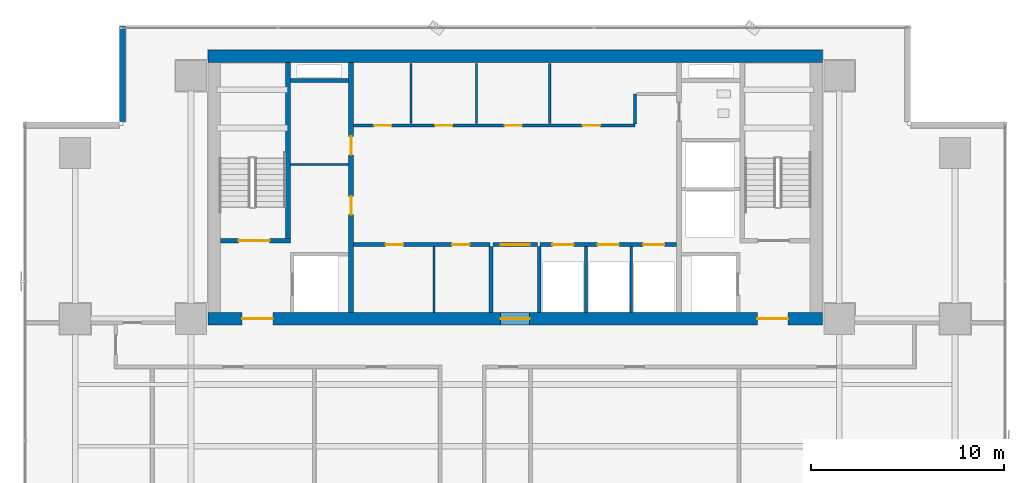
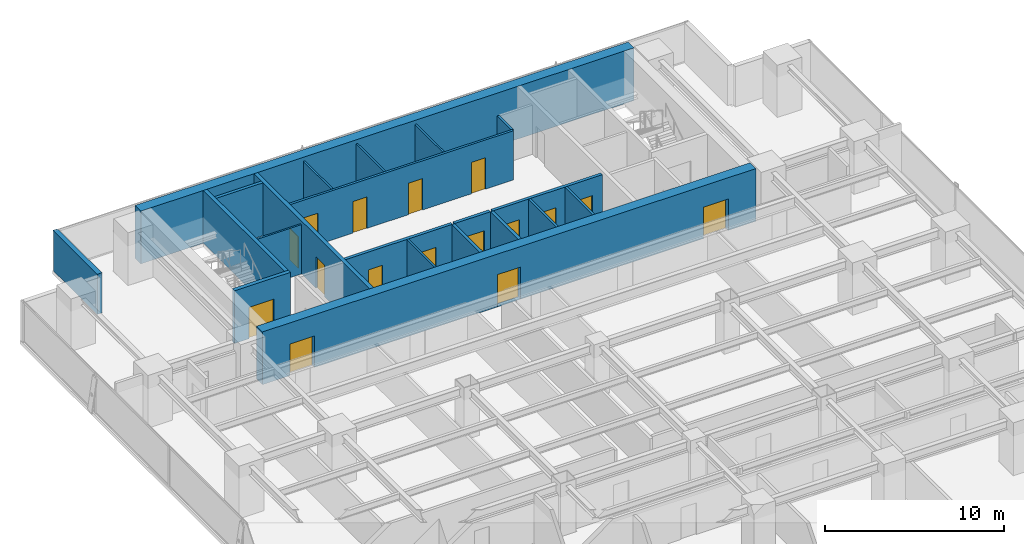
# One storey, part 29 of 36: 21 walls, 16 doors, 16 openings.
"""IFC4 building model written with IfcOpenShell, lengths in metres."""

from ifc_helpers import new_model, si_unit, direction, frame, frame_2d, origin, place, context, subcontext, project, spatial, rectangle, extrude, source, transform, mapped, material, layer, layer_set, type_object, element, fill, save


model = new_model("IFC4")

# Units and contexts
model_context = context("Model", 3, precision=1e-05, world=origin(), true_north=direction((0.0, 1.0)))
body_context = subcontext(model_context, "Body", "Model", "MODEL_VIEW")
ifc_project = project(units=[si_unit("LENGTHUNIT", "METRE"), si_unit("AREAUNIT", "SQUARE_METRE"), si_unit("VOLUMEUNIT", "CUBIC_METRE"), si_unit("PLANEANGLEUNIT", "RADIAN"), si_unit("MASSUNIT", "GRAM", prefix="KILO")], contexts=[model_context])

# Site, building, storey
site_placement = place(None, origin())
site = spatial("IfcSite", under=ifc_project, at=site_placement, CompositionType="ELEMENT")
building_placement = place(site_placement, origin())
building = spatial("IfcBuilding", under=site, at=building_placement, Name="Sumidabori Civic Tower", CompositionType="ELEMENT")
storey_placement = place(building_placement, frame((0.0, 0.0, 113.60009765625)))
storey = spatial("IfcBuildingStorey", under=building, at=storey_placement, Name="L29", CompositionType="ELEMENT", Elevation=113.60009765625)

# Walls
ifc_material_1 = material(Name="Concrete C50/60", Category="concrete")
ifc_layer_1 = layer(ifc_material_1, 0.199951171875, Name="Concrete C50/60")
ifc_layer_set_1 = layer_set([ifc_layer_1], Name="Concrete C50/60")
wall_type_1 = type_object("IfcWallType", Name="WL-SHAFT-200", PredefinedType="SHEAR", material=ifc_layer_set_1)
shared_shape_1 = source(origin(), body_context, "Body", "SweptSolid", [
    extrude(rectangle(XDim=3.02001953125, YDim=0.199951171875, at=frame_2d((1.510009765625, 0.0))), origin(), (0.0, 0.0, 1.0), 3.599853515625),
])
wall_1_placement = place(storey_placement, frame((-11.64501953125, 22.550048828125, 0.0), z_axis=(0.0, 0.0, 1.0), x_axis=(1.0, 0.0, 0.0)))
element("IfcWall", 1, at=wall_1_placement, inside=storey, type_object=wall_type_1, Name="Core Shear Wall L29 RIS1-S", PredefinedType="SHEAR", context=body_context, shape_type="MappedRepresentation", body=[
    mapped(shared_shape_1, transform((0.0, 0.0, 0.0), x_axis=(1.0, 0.0, 0.0), y_axis=(0.0, 1.0, 0.0), z_axis=(0.0, 0.0, 1.0), scale=1.0)),
])
ifc_material_2 = material(Name="Concrete C60/75", Category="concrete")
ifc_layer_2 = layer(ifc_material_2, 0.64990234375, Name="Concrete C60/75")
ifc_layer_set_2 = layer_set([ifc_layer_2], Name="Concrete C60/75")
wall_type_2 = type_object("IfcWallType", Name="WL-CORE-650", PredefinedType="SHEAR", material=ifc_layer_set_2)
shared_shape_2 = source(origin(), body_context, "Body", "SweptSolid", [
    extrude(rectangle(XDim=31.85009765625, YDim=0.64990234375, at=frame_2d((15.925048828125, 0.0))), origin(), (0.0, 0.0, 1.0), 3.599853515625),
])
wall_2_placement = place(storey_placement, frame((-15.925048828125, 23.800048828125, 0.0), z_axis=(0.0, 0.0, 1.0), x_axis=(1.0, 0.0, 0.0)))
element("IfcWall", 2, at=wall_2_placement, inside=storey, type_object=wall_type_2, Name="Core Shear Wall L29 N", PredefinedType="SHEAR", context=body_context, shape_type="MappedRepresentation", body=[
    mapped(shared_shape_2, transform((0.0, 0.0, 0.0), x_axis=(1.0, 0.0, 0.0), y_axis=(0.0, 1.0, 0.0), z_axis=(0.0, 0.0, 1.0), scale=1.0)),
])

# Wall, openings, doors
wall_3_placement = place(storey_placement, frame((-15.925048828125, 10.199951171875, 0.0), z_axis=(0.0, 0.0, 1.0), x_axis=(1.0, 0.0, 0.0)))
wall_3 = element("IfcWall", 3, at=wall_3_placement, inside=storey, type_object=wall_type_2, Name="Core Shear Wall L29 S", PredefinedType="SHEAR", context=body_context, shape_type="MappedRepresentation", body=[
    mapped(shared_shape_2, transform((0.0, 0.0, 0.0), x_axis=(1.0, 0.0, 0.0), y_axis=(0.0, 1.0, 0.0), z_axis=(0.0, 0.0, 1.0), scale=1.0)),
])
opening_1_placement = place(wall_3_placement, frame((1.77490234375, 0.0, 0.0)))
opening_1 = element("IfcOpeningElement", 4, at=opening_1_placement, cuts=wall_3, Name="Opening DR-FD4", PredefinedType="OPENING", context=body_context, shape_type="SweptSolid", body=[
    extrude(rectangle(XDim=1.60009765625, YDim=2.14990234375, at=frame_2d((0.800048828125, 1.074951171875))), frame((0.0, 0.3369140625, 0.0), z_axis=(0.0, -1.0, 0.0), x_axis=(1.0, 0.0, 0.0)), (0.0, 0.0, 1.0), 0.673828125),
])
opening_2_placement = place(wall_3_placement, frame((28.47509765625, 0.0, 0.0)))
opening_2 = element("IfcOpeningElement", 5, at=opening_2_placement, cuts=wall_3, Name="Opening DR-FD4", PredefinedType="OPENING", context=body_context, shape_type="SweptSolid", body=[
    extrude(rectangle(XDim=1.60009765625, YDim=2.14990234375, at=frame_2d((0.800048828125, 1.074951171875))), frame((0.0, 0.3369140625, 0.0), z_axis=(0.0, -1.0, 0.0), x_axis=(1.0, 0.0, 0.0)), (0.0, 0.0, 1.0), 0.673828125),
])
opening_3_placement = place(wall_3_placement, frame((15.175048828125, 0.0, 0.0)))
opening_3 = element("IfcOpeningElement", 6, at=opening_3_placement, cuts=wall_3, Name="Opening DR-FD3", PredefinedType="OPENING", context=body_context, shape_type="SweptSolid", body=[
    extrude(rectangle(XDim=1.5, YDim=2.199951171875, at=frame_2d((0.75, 1.10009765625))), frame((0.0, 0.3369140625, 0.0), z_axis=(0.0, -1.0, 0.0), x_axis=(1.0, 0.0, 0.0)), (0.0, 0.0, 1.0), 0.673828125),
])
ifc_material_3 = material(Name="Steel SN490", Category="steel")
door_type_1 = type_object("IfcDoorType", Name="DR-FD4", OperationType="DOUBLE_DOOR_SINGLE_SWING", PredefinedType="DOOR", material=ifc_material_3)
shared_shape_3 = source(origin(), body_context, "Body", "SweptSolid", [
    extrude(rectangle(XDim=1.60009765625, YDim=2.14990234375, at=frame_2d((0.800048828125, 1.074951171875))), frame((0.0, 0.02490234375, 0.0), z_axis=(0.0, -1.0, 0.0), x_axis=(1.0, 0.0, 0.0)), (0.0, 0.0, 1.0), 0.050048828125),
])
door_1_placement = place(opening_1_placement, origin())
door_1 = element("IfcDoor", 7, at=door_1_placement, inside=storey, type_object=door_type_1, Name="Door DR:L29:ELOB-W", OperationType="DOUBLE_DOOR_SINGLE_SWING", OverallHeight=2.14990234375, OverallWidth=1.60009765625, PredefinedType="DOOR", context=body_context, shape_type="MappedRepresentation", body=[
    mapped(shared_shape_3, transform((0.0, 0.0, 0.0), x_axis=(1.0, 0.0, 0.0), y_axis=(0.0, 1.0, 0.0), z_axis=(0.0, 0.0, 1.0), scale=1.0)),
])
fill(opening_1, door_1)
door_2_placement = place(opening_2_placement, origin())
door_2 = element("IfcDoor", 8, at=door_2_placement, inside=storey, type_object=door_type_1, Name="Door DR:L29:ELOB-E", OperationType="DOUBLE_DOOR_SINGLE_SWING", OverallHeight=2.14990234375, OverallWidth=1.60009765625, PredefinedType="DOOR", context=body_context, shape_type="MappedRepresentation", body=[
    mapped(shared_shape_3, transform((0.0, 0.0, 0.0), x_axis=(1.0, 0.0, 0.0), y_axis=(0.0, 1.0, 0.0), z_axis=(0.0, 0.0, 1.0), scale=1.0)),
])
fill(opening_2, door_2)
door_type_2 = type_object("IfcDoorType", Name="DR-FD-DBL", OperationType="DOUBLE_DOOR_SINGLE_SWING", PredefinedType="DOOR", material=ifc_material_3)
shared_shape_4 = source(origin(), body_context, "Body", "SweptSolid", [
    extrude(rectangle(XDim=1.5, YDim=2.199951171875, at=frame_2d((0.75, 1.10009765625))), frame((0.0, 0.02490234375, 0.0), z_axis=(0.0, -1.0, 0.0), x_axis=(1.0, 0.0, 0.0)), (0.0, 0.0, 1.0), 0.050048828125),
])
door_3_placement = place(opening_3_placement, origin())
door_3 = element("IfcDoor", 9, at=door_3_placement, inside=storey, type_object=door_type_2, Name="Door DR:L29:THROAT-OUT", OperationType="DOUBLE_DOOR_SINGLE_SWING", OverallHeight=2.199951171875, OverallWidth=1.5, PredefinedType="DOOR", context=body_context, shape_type="MappedRepresentation", body=[
    mapped(shared_shape_4, transform((0.0, 0.0, 0.0), x_axis=(1.0, 0.0, 0.0), y_axis=(0.0, 1.0, 0.0), z_axis=(0.0, 0.0, 1.0), scale=1.0)),
])
fill(opening_3, door_3)

ifc_layer_3 = layer(ifc_material_1, 0.25, Name="Concrete C50/60")
ifc_layer_set_3 = layer_set([ifc_layer_3], Name="Concrete C50/60")
wall_type_3 = type_object("IfcWallType", Name="WL-SHAFT-250", PredefinedType="SHEAR", material=ifc_layer_set_3)
shared_shape_5 = source(origin(), body_context, "Body", "SweptSolid", [
    extrude(rectangle(XDim=12.9501953125, YDim=0.25, at=frame_2d((6.47509765625, 0.0))), origin(), (0.0, 0.0, 1.0), 3.599853515625),
])
wall_4_placement = place(storey_placement, frame((-8.5, 10.52490234375, 0.0), z_axis=(0.0, 0.0, 1.0), x_axis=(0.0, 1.0, 0.0)))
wall_4 = element("IfcWall", 10, at=wall_4_placement, inside=storey, type_object=wall_type_3, Name="Core Shear Wall L29 WEB-W", PredefinedType="SHEAR", context=body_context, shape_type="MappedRepresentation", body=[
    mapped(shared_shape_5, transform((0.0, 0.0, 0.0), x_axis=(1.0, 0.0, 0.0), y_axis=(0.0, 1.0, 0.0), z_axis=(0.0, 0.0, 1.0), scale=1.0)),
])
opening_4_placement = place(wall_4_placement, frame((5.074951171875, 0.0, 0.0)))
opening_4 = element("IfcOpeningElement", 11, at=opening_4_placement, cuts=wall_4, Name="Opening DR-FD2", PredefinedType="OPENING", context=body_context, shape_type="SweptSolid", body=[
    extrude(rectangle(XDim=0.949951171875, YDim=2.14990234375, at=frame_2d((0.47509765625, 1.074951171875))), frame((0.0, 0.136962890625, 0.0), z_axis=(0.0, -1.0, 0.0), x_axis=(1.0, 0.0, 0.0)), (0.0, 0.0, 1.0), 0.27392578125),
])
opening_5_placement = place(wall_4_placement, frame((8.175048828125, 0.0, 0.0)))
opening_5 = element("IfcOpeningElement", 12, at=opening_5_placement, cuts=wall_4, Name="Opening DR-FD2", PredefinedType="OPENING", context=body_context, shape_type="SweptSolid", body=[
    extrude(rectangle(XDim=0.949951171875, YDim=2.14990234375, at=frame_2d((0.47509765625, 1.074951171875))), frame((0.0, 0.136962890625, 0.0), z_axis=(0.0, -1.0, 0.0), x_axis=(1.0, 0.0, 0.0)), (0.0, 0.0, 1.0), 0.27392578125),
])
door_type_3 = type_object("IfcDoorType", Name="DR-FD2", OperationType="NOTDEFINED", PredefinedType="DOOR", material=ifc_material_3)
shared_shape_6 = source(origin(), body_context, "Body", "SweptSolid", [
    extrude(rectangle(XDim=0.949951171875, YDim=2.14990234375, at=frame_2d((0.47509765625, 1.074951171875))), frame((0.0, 0.02490234375, 0.0), z_axis=(0.0, -1.0, 0.0), x_axis=(1.0, 0.0, 0.0)), (0.0, 0.0, 1.0), 0.050048828125),
])
door_4_placement = place(opening_4_placement, origin())
door_4 = element("IfcDoor", 13, at=door_4_placement, inside=storey, type_object=door_type_3, Name="Door DR:L29:CW-S1", OperationType="SINGLE_SWING_LEFT", OverallHeight=2.14990234375, OverallWidth=0.949951171875, PredefinedType="DOOR", context=body_context, shape_type="MappedRepresentation", body=[
    mapped(shared_shape_6, transform((0.0, 0.0, 0.0), x_axis=(1.0, 0.0, 0.0), y_axis=(0.0, 1.0, 0.0), z_axis=(0.0, 0.0, 1.0), scale=1.0)),
])
fill(opening_4, door_4)
door_5_placement = place(opening_5_placement, origin())
door_5 = element("IfcDoor", 14, at=door_5_placement, inside=storey, type_object=door_type_3, Name="Door DR:L29:CW-S2", OperationType="SINGLE_SWING_RIGHT", OverallHeight=2.14990234375, OverallWidth=0.949951171875, PredefinedType="DOOR", context=body_context, shape_type="MappedRepresentation", body=[
    mapped(shared_shape_6, transform((0.0, 0.0, 0.0), x_axis=(1.0, 0.0, 0.0), y_axis=(0.0, 1.0, 0.0), z_axis=(0.0, 0.0, 1.0), scale=1.0)),
])
fill(opening_5, door_5)

# Wall, opening, door
shared_shape_7 = source(origin(), body_context, "Body", "SweptSolid", [
    extrude(rectangle(XDim=3.6298828125, YDim=0.25, at=frame_2d((1.81494140625, 0.0))), origin(), (0.0, 0.0, 1.0), 3.599853515625),
])
wall_5_placement = place(storey_placement, frame((-15.27490234375, 14.25, 0.0), z_axis=(0.0, 0.0, 1.0), x_axis=(1.0, 0.0, 0.0)))
wall_5 = element("IfcWall", 15, at=wall_5_placement, inside=storey, type_object=wall_type_3, Name="Core Shear Wall L29 ST1-S", PredefinedType="SHEAR", context=body_context, shape_type="MappedRepresentation", body=[
    mapped(shared_shape_7, transform((0.0, 0.0, 0.0), x_axis=(1.0, 0.0, 0.0), y_axis=(0.0, 1.0, 0.0), z_axis=(0.0, 0.0, 1.0), scale=1.0)),
])
opening_6_placement = place(wall_5_placement, frame((0.949951171875, 0.0, 0.0)))
opening_6 = element("IfcOpeningElement", 16, at=opening_6_placement, cuts=wall_5, Name="Opening DR-FD4", PredefinedType="OPENING", context=body_context, shape_type="SweptSolid", body=[
    extrude(rectangle(XDim=1.60009765625, YDim=2.14990234375, at=frame_2d((0.800048828125, 1.074951171875))), frame((0.0, 0.136962890625, 0.0), z_axis=(0.0, -1.0, 0.0), x_axis=(1.0, 0.0, 0.0)), (0.0, 0.0, 1.0), 0.27392578125),
])
door_6_placement = place(opening_6_placement, origin())
door_6 = element("IfcDoor", 17, at=door_6_placement, inside=storey, type_object=door_type_1, Name="Door DR:L29:ST1", OperationType="DOUBLE_DOOR_SINGLE_SWING", OverallHeight=2.14990234375, OverallWidth=1.60009765625, PredefinedType="DOOR", context=body_context, shape_type="MappedRepresentation", body=[
    mapped(shared_shape_3, transform((0.0, 0.0, 0.0), x_axis=(1.0, 0.0, 0.0), y_axis=(0.0, 1.0, 0.0), z_axis=(0.0, 0.0, 1.0), scale=1.0)),
])
fill(opening_6, door_6)

# Walls
shared_shape_8 = source(origin(), body_context, "Body", "SweptSolid", [
    extrude(rectangle(XDim=9.10009765625, YDim=0.25, at=frame_2d((4.550048828125, 0.0))), origin(), (0.0, 0.0, 1.0), 3.599853515625),
])
wall_6_placement = place(storey_placement, frame((-11.77001953125, 14.375, 0.0), z_axis=(0.0, 0.0, 1.0), x_axis=(0.0, 1.0, 0.0)))
element("IfcWall", 18, at=wall_6_placement, inside=storey, type_object=wall_type_3, Name="Core Shear Wall L29 ST1-E", PredefinedType="SHEAR", context=body_context, shape_type="MappedRepresentation", body=[
    mapped(shared_shape_8, transform((0.0, 0.0, 0.0), x_axis=(1.0, 0.0, 0.0), y_axis=(0.0, 1.0, 0.0), z_axis=(0.0, 0.0, 1.0), scale=1.0)),
])
ifc_material_4 = material(Name="Precast concrete C40/50", Category="concrete")
ifc_layer_4 = layer(ifc_material_4, 0.300048828125, Name="Precast concrete C40/50")
ifc_layer_set_4 = layer_set([ifc_layer_4], Name="Precast concrete C40/50")
wall_type_4 = type_object("IfcWallType", Name="WL-EXT-POD300", PredefinedType="STANDARD", material=ifc_layer_set_4)
shared_shape_9 = source(origin(), body_context, "Body", "SweptSolid", [
    extrude(rectangle(XDim=4.9599609375, YDim=0.300048828125, at=frame_2d((2.47998046875, 0.0))), origin(), (0.0, 0.0, 1.0), 2.739990234375),
])
wall_7_placement = place(storey_placement, frame((-20.35009765625, 25.3798828125, 0.0), z_axis=(0.0, 0.0, 1.0), x_axis=(0.0, -1.0, 0.0)))
element("IfcWall", 19, at=wall_7_placement, inside=storey, type_object=wall_type_4, Name="Notched Corner Spandrel Band L29-08", PredefinedType="STANDARD", context=body_context, shape_type="MappedRepresentation", body=[
    mapped(shared_shape_9, transform((0.0, 0.0, 0.0), x_axis=(1.0, 0.0, 0.0), y_axis=(0.0, 1.0, 0.0), z_axis=(0.0, 0.0, 1.0), scale=1.0)),
])

# Wall, openings, doors
ifc_material_5 = material(Name="Gypsum Plasterboard Fire Partition")
ifc_layer_5 = layer(ifc_material_5, 0.199951171875, Name="Gypsum Plasterboard Fire Partition")
ifc_layer_set_5 = layer_set([ifc_layer_5], Name="Gypsum Plasterboard Fire Partition")
wall_type_5 = type_object("IfcWallType", Name="WL-PART-FIRE", PredefinedType="PARTITIONING", material=ifc_layer_set_5)
shared_shape_10 = source(origin(), body_context, "Body", "SweptSolid", [
    extrude(rectangle(XDim=7.070068359375, YDim=0.199951171875, at=frame_2d((3.53515625, 0.0))), origin(), (0.0, 0.0, 1.0), 3.35986328125),
])
wall_8_placement = place(storey_placement, frame((-8.3701171875, 14.050048828125, 0.0), z_axis=(0.0, 0.0, 1.0), x_axis=(1.0, 0.0, 0.0)))
wall_8 = element("IfcWall", 20, at=wall_8_placement, inside=storey, type_object=wall_type_5, Name="Interior Partition WL:L29:CBAND-SW", PredefinedType="PARTITIONING", context=body_context, shape_type="MappedRepresentation", body=[
    mapped(shared_shape_10, transform((0.0, 0.0, 0.0), x_axis=(1.0, 0.0, 0.0), y_axis=(0.0, 1.0, 0.0), z_axis=(0.0, 0.0, 1.0), scale=1.0)),
])
opening_7_placement = place(wall_8_placement, frame((1.659912109375, 0.0, 0.0)))
opening_7 = element("IfcOpeningElement", 21, at=opening_7_placement, cuts=wall_8, Name="Opening DR-1", PredefinedType="OPENING", context=body_context, shape_type="SweptSolid", body=[
    extrude(rectangle(XDim=0.89990234375, YDim=2.14990234375, at=frame_2d((0.449951171875, 1.074951171875))), frame((0.0, 0.11181640625, 0.0), z_axis=(0.0, -1.0, 0.0), x_axis=(1.0, 0.0, 0.0)), (0.0, 0.0, 1.0), 0.223876953125),
])
opening_8_placement = place(wall_8_placement, frame((5.110107421875, 0.0, 0.0)))
opening_8 = element("IfcOpeningElement", 22, at=opening_8_placement, cuts=wall_8, Name="Opening DR-1", PredefinedType="OPENING", context=body_context, shape_type="SweptSolid", body=[
    extrude(rectangle(XDim=0.89990234375, YDim=2.14990234375, at=frame_2d((0.449951171875, 1.074951171875))), frame((0.0, 0.11181640625, 0.0), z_axis=(0.0, -1.0, 0.0), x_axis=(1.0, 0.0, 0.0)), (0.0, 0.0, 1.0), 0.223876953125),
])
ifc_material_6 = material(Name="Japanese Hinoki Timber", Category="wood")
door_type_4 = type_object("IfcDoorType", Name="DR-INT-900", OperationType="NOTDEFINED", PredefinedType="DOOR", material=ifc_material_6)
shared_shape_11 = source(origin(), body_context, "Body", "SweptSolid", [
    extrude(rectangle(XDim=0.89990234375, YDim=2.14990234375, at=frame_2d((0.449951171875, 1.074951171875))), frame((0.0, 0.02490234375, 0.0), z_axis=(0.0, -1.0, 0.0), x_axis=(1.0, 0.0, 0.0)), (0.0, 0.0, 1.0), 0.050048828125),
])
door_7_placement = place(opening_7_placement, origin())
door_7 = element("IfcDoor", 23, at=door_7_placement, inside=storey, type_object=door_type_4, Name="Door DR:L29:REC-B1A", OperationType="SINGLE_SWING_LEFT", OverallHeight=2.14990234375, OverallWidth=0.89990234375, PredefinedType="DOOR", context=body_context, shape_type="MappedRepresentation", body=[
    mapped(shared_shape_11, transform((0.0, 0.0, 0.0), x_axis=(1.0, 0.0, 0.0), y_axis=(0.0, 1.0, 0.0), z_axis=(0.0, 0.0, 1.0), scale=1.0)),
])
fill(opening_7, door_7)
door_8_placement = place(opening_8_placement, origin())
door_8 = element("IfcDoor", 24, at=door_8_placement, inside=storey, type_object=door_type_4, Name="Door DR:L29:REC-B1B", OperationType="SINGLE_SWING_RIGHT", OverallHeight=2.14990234375, OverallWidth=0.89990234375, PredefinedType="DOOR", context=body_context, shape_type="MappedRepresentation", body=[
    mapped(shared_shape_11, transform((0.0, 0.0, 0.0), x_axis=(1.0, 0.0, 0.0), y_axis=(0.0, 1.0, 0.0), z_axis=(0.0, 0.0, 1.0), scale=1.0)),
])
fill(opening_8, door_8)

wall_9_placement = place(storey_placement, frame((1.300048828125, 14.050048828125, 0.0), z_axis=(0.0, 0.0, 1.0), x_axis=(1.0, 0.0, 0.0)))
wall_9 = element("IfcWall", 25, at=wall_9_placement, inside=storey, type_object=wall_type_5, Name="Interior Partition WL:L29:CBAND-SE", PredefinedType="PARTITIONING", context=body_context, shape_type="MappedRepresentation", body=[
    mapped(shared_shape_10, transform((0.0, 0.0, 0.0), x_axis=(1.0, 0.0, 0.0), y_axis=(0.0, 1.0, 0.0), z_axis=(0.0, 0.0, 1.0), scale=1.0)),
])
opening_9_placement = place(wall_9_placement, frame((0.6298828125, 0.0, 0.0)))
opening_9 = element("IfcOpeningElement", 26, at=opening_9_placement, cuts=wall_9, Name="Opening LD-1", PredefinedType="OPENING", context=body_context, shape_type="SweptSolid", body=[
    extrude(rectangle(XDim=1.10009765625, YDim=2.14990234375, at=frame_2d((0.550048828125, 1.074951171875))), frame((0.0, 0.11181640625, 0.0), z_axis=(0.0, -1.0, 0.0), x_axis=(1.0, 0.0, 0.0)), (0.0, 0.0, 1.0), 0.223876953125),
])
opening_10_placement = place(wall_9_placement, frame((2.97998046875, 0.0, 0.0)))
opening_10 = element("IfcOpeningElement", 27, at=opening_10_placement, cuts=wall_9, Name="Opening LD-1", PredefinedType="OPENING", context=body_context, shape_type="SweptSolid", body=[
    extrude(rectangle(XDim=1.10009765625, YDim=2.14990234375, at=frame_2d((0.550048828125, 1.074951171875))), frame((0.0, 0.11181640625, 0.0), z_axis=(0.0, -1.0, 0.0), x_axis=(1.0, 0.0, 0.0)), (0.0, 0.0, 1.0), 0.223876953125),
])
opening_11_placement = place(wall_9_placement, frame((5.330078125, 0.0, 0.0)))
opening_11 = element("IfcOpeningElement", 28, at=opening_11_placement, cuts=wall_9, Name="Opening LD-1", PredefinedType="OPENING", context=body_context, shape_type="SweptSolid", body=[
    extrude(rectangle(XDim=1.10009765625, YDim=2.14990234375, at=frame_2d((0.550048828125, 1.074951171875))), frame((0.0, 0.11181640625, 0.0), z_axis=(0.0, -1.0, 0.0), x_axis=(1.0, 0.0, 0.0)), (0.0, 0.0, 1.0), 0.223876953125),
])
ifc_material_7 = material(Name="Stainless Steel Hairline Finish", Category="steel")
door_type_5 = type_object("IfcDoorType", Name="DR-LD1", OperationType="DOUBLE_DOOR_SLIDING", PredefinedType="DOOR", material=ifc_material_7)
shared_shape_12 = source(origin(), body_context, "Body", "SweptSolid", [
    extrude(rectangle(XDim=1.10009765625, YDim=2.14990234375, at=frame_2d((0.550048828125, 1.074951171875))), frame((0.0, 0.02490234375, 0.0), z_axis=(0.0, -1.0, 0.0), x_axis=(1.0, 0.0, 0.0)), (0.0, 0.0, 1.0), 0.050048828125),
])
door_9_placement = place(opening_9_placement, origin())
door_9 = element("IfcDoor", 29, at=door_9_placement, inside=storey, type_object=door_type_5, Name="Door DR:L29:LD-PLM1", OperationType="DOUBLE_DOOR_SLIDING", OverallHeight=2.14990234375, OverallWidth=1.10009765625, PredefinedType="DOOR", context=body_context, shape_type="MappedRepresentation", body=[
    mapped(shared_shape_12, transform((0.0, 0.0, 0.0), x_axis=(1.0, 0.0, 0.0), y_axis=(0.0, 1.0, 0.0), z_axis=(0.0, 0.0, 1.0), scale=1.0)),
])
fill(opening_9, door_9)
door_10_placement = place(opening_10_placement, origin())
door_10 = element("IfcDoor", 30, at=door_10_placement, inside=storey, type_object=door_type_5, Name="Door DR:L29:LD-PLM2", OperationType="DOUBLE_DOOR_SLIDING", OverallHeight=2.14990234375, OverallWidth=1.10009765625, PredefinedType="DOOR", context=body_context, shape_type="MappedRepresentation", body=[
    mapped(shared_shape_12, transform((0.0, 0.0, 0.0), x_axis=(1.0, 0.0, 0.0), y_axis=(0.0, 1.0, 0.0), z_axis=(0.0, 0.0, 1.0), scale=1.0)),
])
fill(opening_10, door_10)
door_11_placement = place(opening_11_placement, origin())
door_11 = element("IfcDoor", 31, at=door_11_placement, inside=storey, type_object=door_type_5, Name="Door DR:L29:LD-PLM3", OperationType="DOUBLE_DOOR_SLIDING", OverallHeight=2.14990234375, OverallWidth=1.10009765625, PredefinedType="DOOR", context=body_context, shape_type="MappedRepresentation", body=[
    mapped(shared_shape_12, transform((0.0, 0.0, 0.0), x_axis=(1.0, 0.0, 0.0), y_axis=(0.0, 1.0, 0.0), z_axis=(0.0, 0.0, 1.0), scale=1.0)),
])
fill(opening_11, door_11)

# Wall, opening, door
shared_shape_13 = source(origin(), body_context, "Body", "SweptSolid", [
    extrude(rectangle(XDim=2.2998046875, YDim=0.199951171875, at=frame_2d((1.14990234375, 0.0))), origin(), (0.0, 0.0, 1.0), 3.35986328125),
])
wall_10_placement = place(storey_placement, frame((-1.14990234375, 14.050048828125, 0.0), z_axis=(0.0, 0.0, 1.0), x_axis=(1.0, 0.0, 0.0)))
wall_10 = element("IfcWall", 32, at=wall_10_placement, inside=storey, type_object=wall_type_5, Name="Interior Partition WL:L29:THROAT-N", PredefinedType="PARTITIONING", context=body_context, shape_type="MappedRepresentation", body=[
    mapped(shared_shape_13, transform((0.0, 0.0, 0.0), x_axis=(1.0, 0.0, 0.0), y_axis=(0.0, 1.0, 0.0), z_axis=(0.0, 0.0, 1.0), scale=1.0)),
])
opening_12_placement = place(wall_10_placement, frame((0.39990234375, 0.0, 0.0)))
opening_12 = element("IfcOpeningElement", 33, at=opening_12_placement, cuts=wall_10, Name="Opening DR-FD3", PredefinedType="OPENING", context=body_context, shape_type="SweptSolid", body=[
    extrude(rectangle(XDim=1.5, YDim=2.199951171875, at=frame_2d((0.75, 1.10009765625))), frame((0.0, 0.11181640625, 0.0), z_axis=(0.0, -1.0, 0.0), x_axis=(1.0, 0.0, 0.0)), (0.0, 0.0, 1.0), 0.223876953125),
])
door_12_placement = place(opening_12_placement, origin())
door_12 = element("IfcDoor", 34, at=door_12_placement, inside=storey, type_object=door_type_2, Name="Door DR:L29:THROAT-IN", OperationType="DOUBLE_DOOR_SINGLE_SWING", OverallHeight=2.199951171875, OverallWidth=1.5, PredefinedType="DOOR", context=body_context, shape_type="MappedRepresentation", body=[
    mapped(shared_shape_4, transform((0.0, 0.0, 0.0), x_axis=(1.0, 0.0, 0.0), y_axis=(0.0, 1.0, 0.0), z_axis=(0.0, 0.0, 1.0), scale=1.0)),
])
fill(opening_12, door_12)

# Wall, openings, doors
ifc_material_8 = material(Name="Gypsum Plasterboard Acoustic Partition")
ifc_layer_6 = layer(ifc_material_8, 0.14990234375, Name="Gypsum Plasterboard Acoustic Partition")
ifc_layer_set_6 = layer_set([ifc_layer_6], Name="Gypsum Plasterboard Acoustic Partition")
wall_type_6 = type_object("IfcWallType", Name="WL-PART-150", PredefinedType="PARTITIONING", material=ifc_layer_set_6)
shared_shape_14 = source(origin(), body_context, "Body", "SweptSolid", [
    extrude(rectangle(XDim=14.590087890625, YDim=0.14990234375, at=frame_2d((7.294921875, 0.0))), origin(), (0.0, 0.0, 1.0), 3.35986328125),
])
wall_11_placement = place(storey_placement, frame((-8.3701171875, 20.219970703125, 0.0), z_axis=(0.0, 0.0, 1.0), x_axis=(1.0, 0.0, 0.0)))
wall_11 = element("IfcWall", 35, at=wall_11_placement, inside=storey, type_object=wall_type_6, Name="Interior Partition WL:L29:CBAND-M", PredefinedType="PARTITIONING", context=body_context, shape_type="MappedRepresentation", body=[
    mapped(shared_shape_14, transform((0.0, 0.0, 0.0), x_axis=(1.0, 0.0, 0.0), y_axis=(0.0, 1.0, 0.0), z_axis=(0.0, 0.0, 1.0), scale=1.0)),
])
opening_13_placement = place(wall_11_placement, frame((1.06005859375, 0.0, 0.0)))
opening_13 = element("IfcOpeningElement", 36, at=opening_13_placement, cuts=wall_11, Name="Opening DR-1", PredefinedType="OPENING", context=body_context, shape_type="SweptSolid", body=[
    extrude(rectangle(XDim=0.89990234375, YDim=2.14990234375, at=frame_2d((0.449951171875, 1.074951171875))), frame((0.0, 0.0869140625, 0.0), z_axis=(0.0, -1.0, 0.0), x_axis=(1.0, 0.0, 0.0)), (0.0, 0.0, 1.0), 0.173828125),
])
opening_14_placement = place(wall_11_placement, frame((4.219970703125, 0.0, 0.0)))
opening_14 = element("IfcOpeningElement", 37, at=opening_14_placement, cuts=wall_11, Name="Opening DR-1", PredefinedType="OPENING", context=body_context, shape_type="SweptSolid", body=[
    extrude(rectangle(XDim=0.89990234375, YDim=2.14990234375, at=frame_2d((0.449951171875, 1.074951171875))), frame((0.0, 0.0869140625, 0.0), z_axis=(0.0, -1.0, 0.0), x_axis=(1.0, 0.0, 0.0)), (0.0, 0.0, 1.0), 0.173828125),
])
opening_15_placement = place(wall_11_placement, frame((7.820068359375, 0.0, 0.0)))
opening_15 = element("IfcOpeningElement", 38, at=opening_15_placement, cuts=wall_11, Name="Opening DR-1", PredefinedType="OPENING", context=body_context, shape_type="SweptSolid", body=[
    extrude(rectangle(XDim=0.89990234375, YDim=2.14990234375, at=frame_2d((0.449951171875, 1.074951171875))), frame((0.0, 0.0869140625, 0.0), z_axis=(0.0, -1.0, 0.0), x_axis=(1.0, 0.0, 0.0)), (0.0, 0.0, 1.0), 0.173828125),
])
opening_16_placement = place(wall_11_placement, frame((11.8701171875, 0.0, 0.0)))
opening_16 = element("IfcOpeningElement", 39, at=opening_16_placement, cuts=wall_11, Name="Opening DR-1", PredefinedType="OPENING", context=body_context, shape_type="SweptSolid", body=[
    extrude(rectangle(XDim=0.89990234375, YDim=2.14990234375, at=frame_2d((0.449951171875, 1.074951171875))), frame((0.0, 0.0869140625, 0.0), z_axis=(0.0, -1.0, 0.0), x_axis=(1.0, 0.0, 0.0)), (0.0, 0.0, 1.0), 0.173828125),
])
door_13_placement = place(opening_13_placement, origin())
door_13 = element("IfcDoor", 40, at=door_13_placement, inside=storey, type_object=door_type_4, Name="Door DR:L29:CB-1", OperationType="SINGLE_SWING_LEFT", OverallHeight=2.14990234375, OverallWidth=0.89990234375, PredefinedType="DOOR", context=body_context, shape_type="MappedRepresentation", body=[
    mapped(shared_shape_11, transform((0.0, 0.0, 0.0), x_axis=(1.0, 0.0, 0.0), y_axis=(0.0, 1.0, 0.0), z_axis=(0.0, 0.0, 1.0), scale=1.0)),
])
fill(opening_13, door_13)
door_14_placement = place(opening_14_placement, origin())
door_14 = element("IfcDoor", 41, at=door_14_placement, inside=storey, type_object=door_type_4, Name="Door DR:L29:CB-2", OperationType="SINGLE_SWING_RIGHT", OverallHeight=2.14990234375, OverallWidth=0.89990234375, PredefinedType="DOOR", context=body_context, shape_type="MappedRepresentation", body=[
    mapped(shared_shape_11, transform((0.0, 0.0, 0.0), x_axis=(1.0, 0.0, 0.0), y_axis=(0.0, 1.0, 0.0), z_axis=(0.0, 0.0, 1.0), scale=1.0)),
])
fill(opening_14, door_14)
door_15_placement = place(opening_15_placement, origin())
door_15 = element("IfcDoor", 42, at=door_15_placement, inside=storey, type_object=door_type_4, Name="Door DR:L29:CB-3", OperationType="SINGLE_SWING_LEFT", OverallHeight=2.14990234375, OverallWidth=0.89990234375, PredefinedType="DOOR", context=body_context, shape_type="MappedRepresentation", body=[
    mapped(shared_shape_11, transform((0.0, 0.0, 0.0), x_axis=(1.0, 0.0, 0.0), y_axis=(0.0, 1.0, 0.0), z_axis=(0.0, 0.0, 1.0), scale=1.0)),
])
fill(opening_15, door_15)
door_16_placement = place(opening_16_placement, origin())
door_16 = element("IfcDoor", 43, at=door_16_placement, inside=storey, type_object=door_type_4, Name="Door DR:L29:CB-4", OperationType="SINGLE_SWING_RIGHT", OverallHeight=2.14990234375, OverallWidth=0.89990234375, PredefinedType="DOOR", context=body_context, shape_type="MappedRepresentation", body=[
    mapped(shared_shape_11, transform((0.0, 0.0, 0.0), x_axis=(1.0, 0.0, 0.0), y_axis=(0.0, 1.0, 0.0), z_axis=(0.0, 0.0, 1.0), scale=1.0)),
])
fill(opening_16, door_16)

# Walls
shared_shape_15 = source(origin(), body_context, "Body", "SweptSolid", [
    extrude(rectangle(XDim=1.550048828125, YDim=0.14990234375, at=frame_2d((0.77490234375, 0.0))), origin(), (0.0, 0.0, 1.0), 3.35986328125),
])
wall_12_placement = place(storey_placement, frame((6.219970703125, 20.300048828125, 0.0), z_axis=(0.0, 0.0, 1.0), x_axis=(0.0, 1.0, 0.0)))
element("IfcWall", 44, at=wall_12_placement, inside=storey, type_object=wall_type_6, Name="Interior Partition WL:L29:CBAND-ME1", PredefinedType="PARTITIONING", context=body_context, shape_type="MappedRepresentation", body=[
    mapped(shared_shape_15, transform((0.0, 0.0, 0.0), x_axis=(1.0, 0.0, 0.0), y_axis=(0.0, 1.0, 0.0), z_axis=(0.0, 0.0, 1.0), scale=1.0)),
])
ifc_layer_7 = layer(ifc_material_8, 0.1201171875, Name="Gypsum Plasterboard Acoustic Partition")
ifc_layer_set_7 = layer_set([ifc_layer_7], Name="Gypsum Plasterboard Acoustic Partition")
wall_type_7 = type_object("IfcWallType", Name="WL-PART-120", PredefinedType="PARTITIONING", material=ifc_layer_set_7)
shared_shape_16 = source(origin(), body_context, "Body", "SweptSolid", [
    extrude(rectangle(XDim=3.010009765625, YDim=0.1201171875, at=frame_2d((1.5048828125, 0.0))), origin(), (0.0, 0.0, 1.0), 3.35986328125),
])
wall_13_placement = place(storey_placement, frame((-11.639892578125, 18.199951171875, 0.0), z_axis=(0.0, 0.0, 1.0), x_axis=(1.0, 0.0, 0.0)))
element("IfcWall", 45, at=wall_13_placement, inside=storey, type_object=wall_type_7, Name="Interior Partition WL:L29:CW-MID", PredefinedType="PARTITIONING", context=body_context, shape_type="MappedRepresentation", body=[
    mapped(shared_shape_16, transform((0.0, 0.0, 0.0), x_axis=(1.0, 0.0, 0.0), y_axis=(0.0, 1.0, 0.0), z_axis=(0.0, 0.0, 1.0), scale=1.0)),
])
shared_shape_17 = source(origin(), body_context, "Body", "SweptSolid", [
    extrude(rectangle(XDim=3.4150390625, YDim=0.199951171875, at=frame_2d((1.70751953125, 0.0))), origin(), (0.0, 0.0, 1.0), 3.35986328125),
])
for number, where, z_axis, x_axis, name in (
    (46, (-1.25, 10.52490234375, 0.0), (0.0, 0.0, 1.0), (0.0, 1.0, 0.0), "Interior Partition WL:L29:THROAT-W"),
    (47, (1.25, 10.52490234375, 0.0), (0.0, 0.0, 1.0), (0.0, 1.0, 0.0), "Interior Partition WL:L29:THROAT-E"),
):
    element("IfcWall", number, at=place(storey_placement, frame(where, z_axis=z_axis, x_axis=x_axis)), inside=storey, type_object=wall_type_5, Name=name, PredefinedType="PARTITIONING", context=body_context, shape_type="MappedRepresentation", body=[
        mapped(shared_shape_17, transform((0.0, 0.0, 0.0), x_axis=(1.0, 0.0, 0.0), y_axis=(0.0, 1.0, 0.0), z_axis=(0.0, 0.0, 1.0), scale=1.0)),
    ])
shared_shape_18 = source(origin(), body_context, "Body", "SweptSolid", [
    extrude(rectangle(XDim=3.4150390625, YDim=0.14990234375, at=frame_2d((1.70751953125, 0.0))), origin(), (0.0, 0.0, 1.0), 3.35986328125),
])
for number, where, z_axis, x_axis, name in (
    (48, (3.669921875, 10.52490234375, 0.0), (0.0, 0.0, 1.0), (0.0, 1.0, 0.0), "Interior Partition WL:L29:DIV-PLM1"),
    (49, (6.02001953125, 10.52490234375, 0.0), (0.0, 0.0, 1.0), (0.0, 1.0, 0.0), "Interior Partition WL:L29:DIV-PLM2"),
):
    element("IfcWall", number, at=place(storey_placement, frame(where, z_axis=z_axis, x_axis=x_axis)), inside=storey, type_object=wall_type_6, Name=name, PredefinedType="PARTITIONING", context=body_context, shape_type="MappedRepresentation", body=[
        mapped(shared_shape_18, transform((0.0, 0.0, 0.0), x_axis=(1.0, 0.0, 0.0), y_axis=(0.0, 1.0, 0.0), z_axis=(0.0, 0.0, 1.0), scale=1.0)),
    ])
shared_shape_19 = source(origin(), body_context, "Body", "SweptSolid", [
    extrude(rectangle(XDim=3.114990234375, YDim=0.1201171875, at=frame_2d((1.5576171875, 0.0))), origin(), (0.0, 0.0, 1.0), 3.35986328125),
])
for number, where, z_axis, x_axis, name in (
    (50, (-5.39990234375, 20.320068359375, 0.0), (0.0, 0.0, 1.0), (0.0, 1.0, 0.0), "Interior Partition WL:L29:LV8-S1"),
    (51, (-2.0, 20.320068359375, 0.0), (0.0, 0.0, 1.0), (0.0, 1.0, 0.0), "Interior Partition WL:L29:LV8-S2"),
    (52, (1.800048828125, 20.320068359375, 0.0), (0.0, 0.0, 1.0), (0.0, 1.0, 0.0), "Interior Partition WL:L29:LV8-S3"),
):
    element("IfcWall", number, at=place(storey_placement, frame(where, z_axis=z_axis, x_axis=x_axis)), inside=storey, type_object=wall_type_7, Name=name, PredefinedType="PARTITIONING", context=body_context, shape_type="MappedRepresentation", body=[
        mapped(shared_shape_19, transform((0.0, 0.0, 0.0), x_axis=(1.0, 0.0, 0.0), y_axis=(0.0, 1.0, 0.0), z_axis=(0.0, 0.0, 1.0), scale=1.0)),
    ])
shared_shape_20 = source(origin(), body_context, "Body", "SweptSolid", [
    extrude(rectangle(XDim=3.4150390625, YDim=0.1201171875, at=frame_2d((1.70751953125, 0.0))), origin(), (0.0, 0.0, 1.0), 3.35986328125),
])
wall_14_placement = place(storey_placement, frame((-4.199951171875, 10.52490234375, 0.0), z_axis=(0.0, 0.0, 1.0), x_axis=(0.0, 1.0, 0.0)))
element("IfcWall", 53, at=wall_14_placement, inside=storey, type_object=wall_type_7, Name="Interior Partition WL:L29:REC-B1-SP", PredefinedType="PARTITIONING", context=body_context, shape_type="MappedRepresentation", body=[
    mapped(shared_shape_20, transform((0.0, 0.0, 0.0), x_axis=(1.0, 0.0, 0.0), y_axis=(0.0, 1.0, 0.0), z_axis=(0.0, 0.0, 1.0), scale=1.0)),
])

save(model, "model.ifc")
